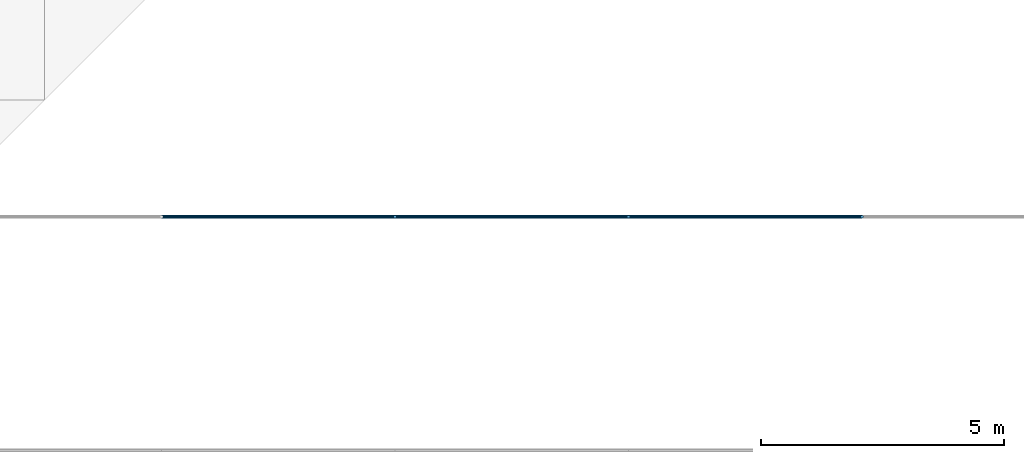
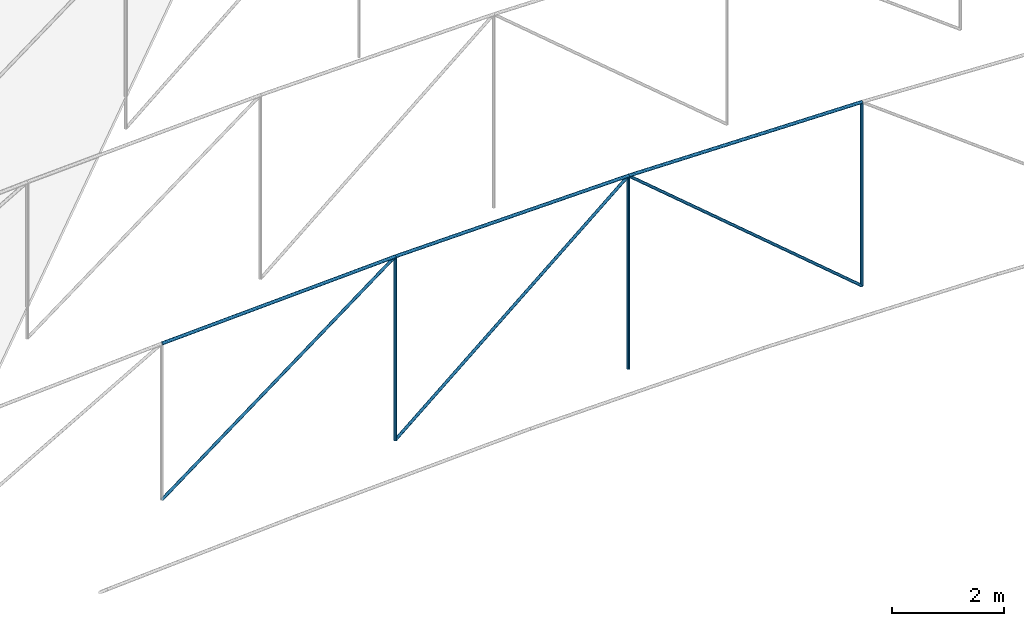
# One storey, part 16 of 50: 9 members.
"""IFC4 building model written with IfcOpenShell, lengths in metres."""

from ifc_helpers import new_model, si_unit, direction, frame, origin, origin_2d, place, context, subcontext, project, spatial, circle, extrude, material, material_profile, profile_set, type_object, element, save


model = new_model("IFC4")

# Units and contexts
model_context = context("Model", 3, precision=1e-05, world=origin(), true_north=direction((0.0, 1.0)))
body_context = subcontext(model_context, "Body", "Model", "MODEL_VIEW")
ifc_project = project(units=[si_unit("LENGTHUNIT", "METRE"), si_unit("AREAUNIT", "SQUARE_METRE"), si_unit("VOLUMEUNIT", "CUBIC_METRE"), si_unit("PLANEANGLEUNIT", "RADIAN"), si_unit("MASSUNIT", "GRAM", prefix="KILO")], contexts=[model_context])

# Site, building, storey
site_placement = place(None, origin())
site = spatial("IfcSite", under=ifc_project, at=site_placement, CompositionType="ELEMENT")
building_placement = place(site_placement, origin())
building = spatial("IfcBuilding", under=site, at=building_placement, Name="Zevrakil Square Congress Hotel", CompositionType="ELEMENT")
storey_placement = place(building_placement, frame((0.0, 0.0, 21.5)))
storey = spatial("IfcBuildingStorey", under=building, at=storey_placement, Name="L06", CompositionType="ELEMENT", Elevation=21.5)

# Members
ifc_material_1 = material(Name="Steel S355", Category="steel")
ifc_material_profile_1 = material_profile(ifc_material_1, circle(Radius=0.030029296875, at=origin_2d()), Name="CABLE RD60")
ifc_profile_set_1 = profile_set([ifc_material_profile_1], Name="Steel S355")
member_type_1 = type_object("IfcMemberType", Name="MEM-CABLE-RD60", PredefinedType="USERDEFINED", material=ifc_profile_set_1)
member_1_placement = place(storey_placement, frame((132.0, 74.39990234375, -1.51806640625), z_axis=(0.799174909116, 0.0, 0.601098548192), x_axis=(0.0, 1.0, 0.0)))
element("IfcMember", 1, at=member_1_placement, inside=storey, type_object=member_type_1, Name="Congress cable-truss web diagonal CBD-02-4", ObjectType="ROOF CABLE", PredefinedType="USERDEFINED", context=body_context, shape_type="SweptSolid", body=[
    extrude(circle(Radius=0.030029296875, at=origin_2d()), origin(), (0.0, 0.0, 1.0), 6.00634765625),
])
member_2_placement = place(storey_placement, frame((136.800048828125, 74.39990234375, -1.902099609375), z_axis=(0.0, 0.0, 1.0), x_axis=(1.0, 0.0, 0.0)))
element("IfcMember", 2, at=member_2_placement, inside=storey, type_object=member_type_1, Name="Congress cable-truss vertical tie CBW-02-4", ObjectType="ROOF CABLE", PredefinedType="USERDEFINED", context=body_context, shape_type="SweptSolid", body=[
    extrude(circle(Radius=0.030029296875, at=origin_2d()), origin(), (0.0, 0.0, 1.0), 3.994384765625),
])
member_3_placement = place(storey_placement, frame((136.800048828125, 74.39990234375, -1.902099609375), z_axis=(0.76256769405, 0.0, 0.646908426279), x_axis=(0.0, 1.0, 0.0)))
element("IfcMember", 3, at=member_3_placement, inside=storey, type_object=member_type_1, Name="Congress cable-truss web diagonal CBD-02-5", ObjectType="ROOF CABLE", PredefinedType="USERDEFINED", context=body_context, shape_type="SweptSolid", body=[
    extrude(circle(Radius=0.030029296875, at=origin_2d()), origin(), (0.0, 0.0, 1.0), 6.294677734375),
])
member_4_placement = place(storey_placement, frame((141.60009765625, 74.39990234375, -2.030029296875), z_axis=(0.0, 0.0, 1.0), x_axis=(1.0, 0.0, 0.0)))
element("IfcMember", 4, at=member_4_placement, inside=storey, type_object=member_type_1, Name="Congress cable-truss vertical tie CBW-02-5", ObjectType="ROOF CABLE", PredefinedType="USERDEFINED", context=body_context, shape_type="SweptSolid", body=[
    extrude(circle(Radius=0.030029296875, at=origin_2d()), origin(), (0.0, 0.0, 1.0), 4.199951171875),
])
member_5_placement = place(storey_placement, frame((146.39990234375, 74.39990234375, -1.902099609375), z_axis=(-0.762551461839, 0.0, 0.646927560123), x_axis=(0.0, -1.0, 0.0)))
element("IfcMember", 5, at=member_5_placement, inside=storey, type_object=member_type_1, Name="Congress cable-truss web diagonal CBD-02-6", ObjectType="ROOF CABLE", PredefinedType="USERDEFINED", context=body_context, shape_type="SweptSolid", body=[
    extrude(circle(Radius=0.030029296875, at=origin_2d()), origin(), (0.0, 0.0, 1.0), 6.29443359375),
])
member_6_placement = place(storey_placement, frame((146.39990234375, 74.39990234375, -1.902099609375), z_axis=(0.0, 0.0, 1.0), x_axis=(1.0, 0.0, 0.0)))
element("IfcMember", 6, at=member_6_placement, inside=storey, type_object=member_type_1, Name="Congress cable-truss vertical tie CBW-02-6", ObjectType="ROOF CABLE", PredefinedType="USERDEFINED", context=body_context, shape_type="SweptSolid", body=[
    extrude(circle(Radius=0.030029296875, at=origin_2d()), origin(), (0.0, 0.0, 1.0), 3.994384765625),
])
ifc_material_2 = material(Name="Steel S355", Category="steel")
ifc_material_profile_2 = material_profile(ifc_material_2, circle(Radius=0.033935546875, at=origin_2d()), Name="CABLE RD68")
ifc_profile_set_2 = profile_set([ifc_material_profile_2], Name="Steel S355")
member_type_2 = type_object("IfcMemberType", Name="MEM-CABLE-RD68", PredefinedType="USERDEFINED", material=ifc_profile_set_2)
member_7_placement = place(storey_placement, frame((132.0, 74.39990234375, 1.8798828125), z_axis=(0.999022402478, 0.0, 0.044206779419), x_axis=(0.0, 1.0, 0.0)))
element("IfcMember", 7, at=member_7_placement, inside=storey, type_object=member_type_2, Name="Congress lenticular upper cable chord CBU-02 seg 4", ObjectType="ROOF CABLE", PredefinedType="USERDEFINED", context=body_context, shape_type="SweptSolid", body=[
    extrude(circle(Radius=0.033935546875, at=origin_2d()), origin(), (0.0, 0.0, 1.0), 4.8046875),
])
member_8_placement = place(storey_placement, frame((136.800048828125, 74.39990234375, 2.09228515625), z_axis=(0.999869224064, 0.0, 0.016172036684), x_axis=(0.0, 1.0, 0.0)))
element("IfcMember", 8, at=member_8_placement, inside=storey, type_object=member_type_2, Name="Congress lenticular upper cable chord CBU-02 seg 5", ObjectType="ROOF CABLE", PredefinedType="USERDEFINED", context=body_context, shape_type="SweptSolid", body=[
    extrude(circle(Radius=0.033935546875, at=origin_2d()), origin(), (0.0, 0.0, 1.0), 4.80078125),
])
member_9_placement = place(storey_placement, frame((141.60009765625, 74.39990234375, 2.169921875), z_axis=(0.999869210762, 0.0, -0.016172859055), x_axis=(0.0, 1.0, 0.0)))
element("IfcMember", 9, at=member_9_placement, inside=storey, type_object=member_type_2, Name="Congress lenticular upper cable chord CBU-02 seg 6", ObjectType="ROOF CABLE", PredefinedType="USERDEFINED", context=body_context, shape_type="SweptSolid", body=[
    extrude(circle(Radius=0.033935546875, at=origin_2d()), origin(), (0.0, 0.0, 1.0), 4.800537109375),
])

save(model, "model.ifc")
